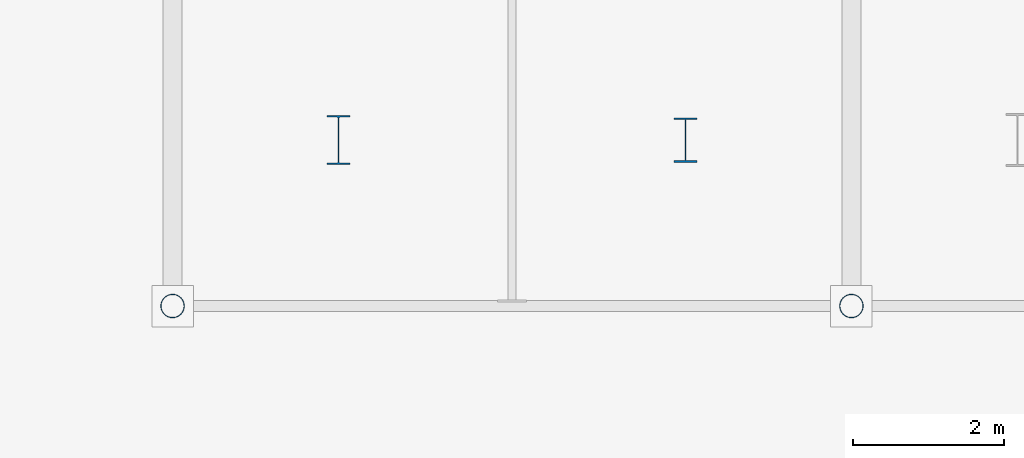
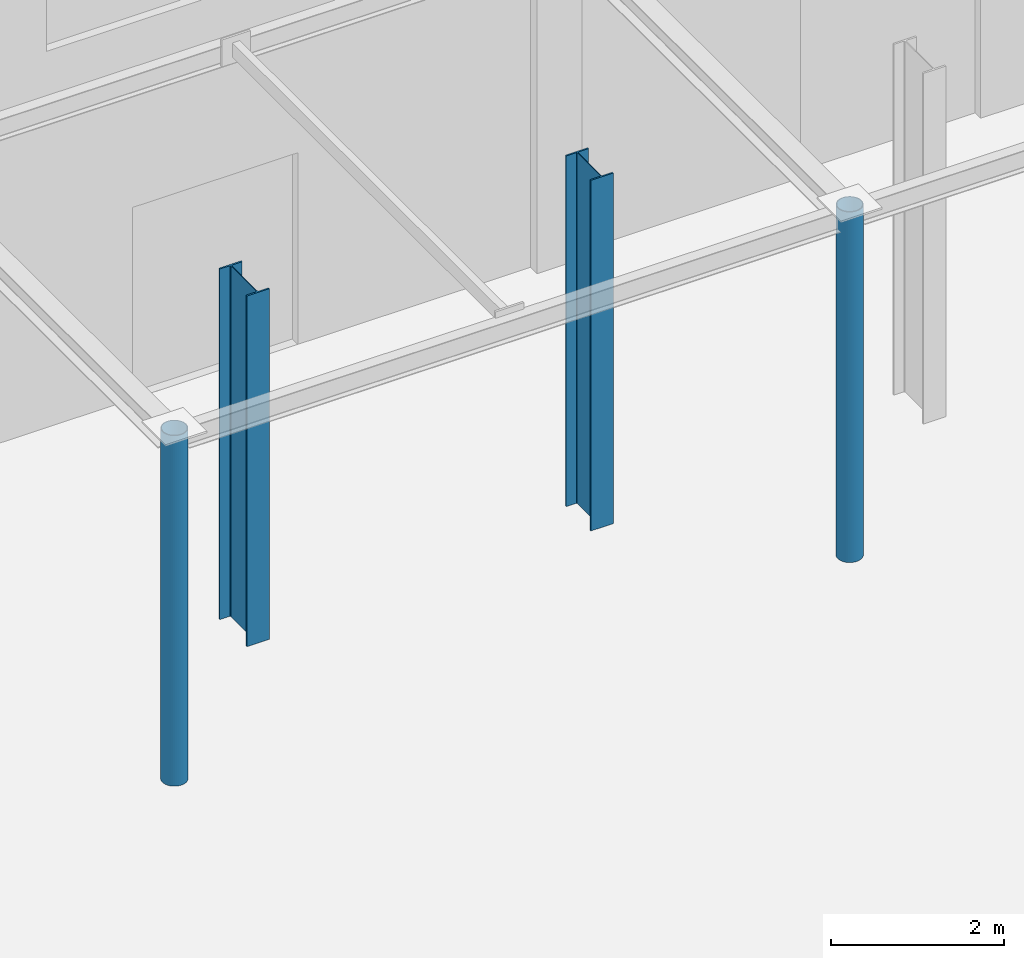
# One storey, part 2 of 123: 4 columns.
"""IFC4 building model written with IfcOpenShell, lengths in metres."""

from ifc_helpers import new_model, si_unit, direction, frame, origin, origin_2d, place, context, subcontext, project, spatial, hollow_circle, i_section, extrude, material, material_profile, profile_set, type_object, element, save


model = new_model("IFC4")

# Units and contexts
model_context = context("Model", 3, precision=1e-05, world=origin(), true_north=direction((0.0, 1.0)))
body_context = subcontext(model_context, "Body", "Model", "MODEL_VIEW")
ifc_project = project(units=[si_unit("LENGTHUNIT", "METRE"), si_unit("AREAUNIT", "SQUARE_METRE"), si_unit("VOLUMEUNIT", "CUBIC_METRE"), si_unit("PLANEANGLEUNIT", "RADIAN"), si_unit("MASSUNIT", "GRAM", prefix="KILO")], contexts=[model_context])

# Site, building, storey
site_placement = place(None, origin())
site = spatial("IfcSite", under=ifc_project, at=site_placement, CompositionType="ELEMENT")
building_placement = place(site_placement, origin())
building = spatial("IfcBuilding", under=site, at=building_placement, Name="Suzunagisa Mobility Hub", CompositionType="ELEMENT")
storey_placement = place(building_placement, origin())
storey = spatial("IfcBuildingStorey", under=building, at=storey_placement, Name="L00", CompositionType="ELEMENT", Elevation=0.0)

# Columns
ifc_material = material(Name="Steel SN490B", Category="steel")
ifc_material_profile_1 = material_profile(ifc_material, i_section(OverallWidth=0.300048828125, OverallDepth=0.587890625, WebThickness=0.011962890625, FlangeThickness=0.02001953125, FilletRadius=0.012939453125, at=origin_2d()), Name="H-588x300x12x20")
ifc_profile_set_1 = profile_set([ifc_material_profile_1], Name="Steel SN490B")
column_type_1 = type_object("IfcColumnType", Name="Steel Column CL-06 H-588x300x12x20", PredefinedType="PILASTER", material=ifc_profile_set_1)
column_1_placement = place(storey_placement, frame((60.800048828125, 31.199951171875, 0.0), z_axis=(0.0, 0.0, 1.0), x_axis=(1.0, 0.0, 0.0)))
element("IfcColumn", 1, at=column_1_placement, inside=storey, type_object=column_type_1, Name="L00 Streamline Colonnade Pilaster PL-02", PredefinedType="PILASTER", context=body_context, shape_type="SweptSolid", body=[
    extrude(i_section(OverallWidth=0.300048828125, OverallDepth=0.587890625, WebThickness=0.011962890625, FlangeThickness=0.02001953125, FilletRadius=0.012939453125, at=origin_2d()), origin(), (0.0, 0.0, 1.0), 4.93994140625),
])
ifc_material_profile_2 = material_profile(ifc_material, hollow_circle(Radius=0.1591796875, WallThickness=0.01025390625, at=origin_2d()), Name="CHS-318.5x10.3")
ifc_profile_set_2 = profile_set([ifc_material_profile_2], Name="Steel SN490B")
column_type_2 = type_object("IfcColumnType", Name="Steel Column CL-09 CHS-318.5x10.3", PredefinedType="COLUMN", material=ifc_profile_set_2)
for number, where, z_axis, x_axis, name in (
    (2, (54.0, 29.0, 0.0), (0.0, 0.0, 1.0), (1.0, 0.0, 0.0), "L00 Column 125"),
    (3, (63.0, 29.0, 0.0), (0.0, 0.0, 1.0), (1.0, 0.0, 0.0), "L00 Column 134"),
):
    element("IfcColumn", number, at=place(storey_placement, frame(where, z_axis=z_axis, x_axis=x_axis)), inside=storey, type_object=column_type_2, Name=name, PredefinedType="COLUMN", context=body_context, shape_type="SweptSolid", body=[
        extrude(hollow_circle(Radius=0.1591796875, WallThickness=0.01025390625, at=origin_2d()), origin(), (0.0, 0.0, 1.0), 4.93994140625),
    ])
ifc_material_profile_3 = material_profile(ifc_material, i_section(OverallWidth=0.300048828125, OverallDepth=0.64990234375, WebThickness=0.012939453125, FlangeThickness=0.02197265625, FilletRadius=0.01611328125, at=origin_2d()), Name="H-650x300x13x22")
ifc_profile_set_3 = profile_set([ifc_material_profile_3], Name="Steel SN490B")
column_type_3 = type_object("IfcColumnType", Name="Steel Column CL-16 H-650x300x13x22", PredefinedType="PILASTER", material=ifc_profile_set_3)
column_2_placement = place(storey_placement, frame((56.199951171875, 31.199951171875, 0.0), z_axis=(0.0, 0.0, 1.0), x_axis=(1.0, 0.0, 0.0)))
element("IfcColumn", 4, at=column_2_placement, inside=storey, type_object=column_type_3, Name="L00 Streamline Colonnade Pilaster PL-01", PredefinedType="PILASTER", context=body_context, shape_type="SweptSolid", body=[
    extrude(i_section(OverallWidth=0.300048828125, OverallDepth=0.64990234375, WebThickness=0.012939453125, FlangeThickness=0.02197265625, FilletRadius=0.01611328125, at=origin_2d()), origin(), (0.0, 0.0, 1.0), 4.93994140625),
])

save(model, "model.ifc")
